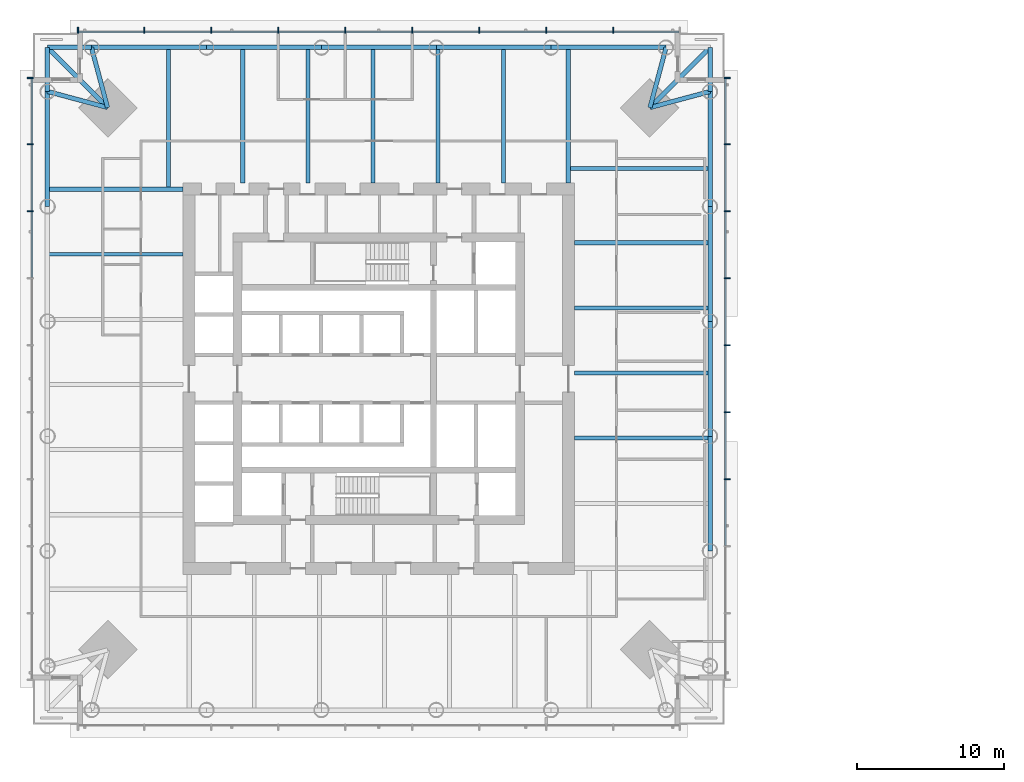
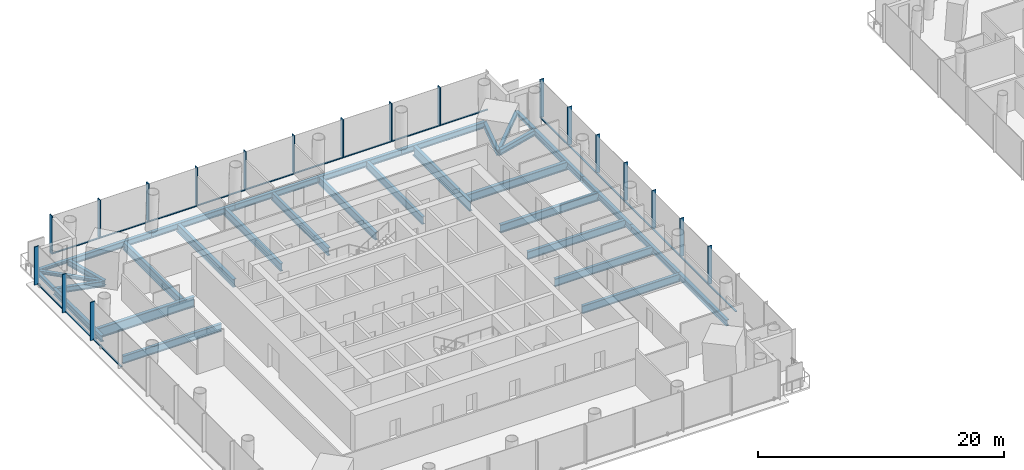
# One storey, part 3 of 26: 38 members, 33 beams, 3 elements without a shape of their own.
"""IFC4 building model written with IfcOpenShell, lengths in metres."""

from ifc_helpers import new_model, si_unit, direction, frame, origin, origin_2d, place, context, subcontext, project, spatial, rectangle, i_section, extrude, material, material_profile, profile_set, type_object, element, aggregate, save


model = new_model("IFC4")

# Units and contexts
model_context = context("Model", 3, precision=1e-05, world=origin(), true_north=direction((0.0, 1.0)))
body_context = subcontext(model_context, "Body", "Model", "MODEL_VIEW")
ifc_project = project(units=[si_unit("LENGTHUNIT", "METRE"), si_unit("AREAUNIT", "SQUARE_METRE"), si_unit("VOLUMEUNIT", "CUBIC_METRE"), si_unit("PLANEANGLEUNIT", "RADIAN"), si_unit("MASSUNIT", "GRAM", prefix="KILO")], contexts=[model_context])

# Site, building, storey
site_placement = place(None, origin())
site = spatial("IfcSite", under=ifc_project, at=site_placement, CompositionType="ELEMENT")
building_placement = place(site_placement, origin())
building = spatial("IfcBuilding", under=site, at=building_placement, Name="Ostroluk Exchange", CompositionType="ELEMENT")
storey_placement = place(building_placement, frame((0.0, 0.0, 66.60009765625)))
storey = spatial("IfcBuildingStorey", under=building, at=storey_placement, Name="L16", CompositionType="ELEMENT", Elevation=66.60009765625)

# Beams
ifc_material_1 = material(Name="Steel S355", Category="steel")
ifc_material_profile_1 = material_profile(ifc_material_1, i_section(OverallWidth=0.300048828125, OverallDepth=0.300048828125, WebThickness=0.010986328125, FlangeThickness=0.01904296875, FilletRadius=0.027099609375, at=origin_2d()), Name="HEB 300")
ifc_profile_set_1 = profile_set([ifc_material_profile_1], Name="Steel S355")
beam_type_1 = type_object("IfcBeamType", Name="Balcony beam HEB 300", PredefinedType="BEAM", material=ifc_profile_set_1)
beam_1_placement = place(storey_placement, frame((67.54296875, 65.54296875, -0.330078125), z_axis=(0.0, 1.0, 0.0), x_axis=(-1.0, 0.0, 0.0)))
element("IfcBeam", 1, at=beam_1_placement, inside=storey, type_object=beam_type_1, Name="T1 east balcony beam a", PredefinedType="BEAM", context=body_context, shape_type="SweptSolid", body=[
    extrude(i_section(OverallWidth=0.300048828125, OverallDepth=0.300048828125, WebThickness=0.010986328125, FlangeThickness=0.01904296875, FilletRadius=0.027099609375, at=origin_2d()), origin(), (0.0, 0.0, 1.0), 3.0),
])
beam_2_placement = place(storey_placement, frame((63.44287109375, 64.44287109375, -0.330078125), z_axis=(0.707106781187, 0.707106781187, 0.0), x_axis=(-0.707106781187, 0.707106781187, 0.0)))
element("IfcBeam", 2, at=beam_2_placement, inside=storey, type_object=beam_type_1, Name="T1 east balcony beam c", PredefinedType="BEAM", context=body_context, shape_type="SweptSolid", body=[
    extrude(i_section(OverallWidth=0.300048828125, OverallDepth=0.300048828125, WebThickness=0.010986328125, FlangeThickness=0.01904296875, FilletRadius=0.027099609375, at=origin_2d()), origin(), (0.0, 0.0, 1.0), 5.79833984375),
])
for number, where, z_axis, x_axis, name in (
    (3, (25.45703125, 68.54296875, -0.330078125), (-1.0, 0.0, 0.0), (0.0, -1.0, 0.0), "T1 north balcony beam a"),
    (4, (22.45703125, 65.54296875, -0.330078125), (0.0, 1.0, 0.0), (-1.0, 0.0, 0.0), "T1 north balcony beam b"),
):
    element("IfcBeam", number, at=place(storey_placement, frame(where, z_axis=z_axis, x_axis=x_axis)), inside=storey, type_object=beam_type_1, Name=name, PredefinedType="BEAM", context=body_context, shape_type="SweptSolid", body=[
        extrude(i_section(OverallWidth=0.300048828125, OverallDepth=0.300048828125, WebThickness=0.010986328125, FlangeThickness=0.01904296875, FilletRadius=0.027099609375, at=origin_2d()), origin(), (0.0, 0.0, 1.0), 3.0),
    ])
beam_3_placement = place(storey_placement, frame((26.55712890625, 64.44287109375, -0.330078125), z_axis=(-0.707106781187, 0.707106781187, 0.0), x_axis=(-0.707106781187, -0.707106781187, 0.0)))
element("IfcBeam", 5, at=beam_3_placement, inside=storey, type_object=beam_type_1, Name="T1 north balcony beam c", PredefinedType="BEAM", context=body_context, shape_type="SweptSolid", body=[
    extrude(i_section(OverallWidth=0.300048828125, OverallDepth=0.300048828125, WebThickness=0.010986328125, FlangeThickness=0.01904296875, FilletRadius=0.027099609375, at=origin_2d()), origin(), (0.0, 0.0, 1.0), 5.79833984375),
])
ifc_material_2 = material(Name="Steel S355", Category="steel")
ifc_material_profile_2 = material_profile(ifc_material_2, i_section(OverallWidth=0.300048828125, OverallDepth=0.550048828125, WebThickness=0.014892578125, FlangeThickness=0.029052734375, FilletRadius=0.027099609375, at=origin_2d()), Name="HEB 550")
ifc_profile_set_2 = profile_set([ifc_material_profile_2], Name="Steel S355")
beam_type_2 = type_object("IfcBeamType", Name="Corner edge beam HEB 550", PredefinedType="SPANDREL", material=ifc_profile_set_2)
for number, where, z_axis, x_axis, name in (
    (6, (63.44287109375, 64.44287109375, -0.455078125), (0.965838624319, 0.259144268261, 0.0), (-0.259144268261, 0.965838624319, 0.0), "T1 east corner edge beam a"),
    (7, (63.44287109375, 64.44287109375, -0.455078125), (0.259144268261, 0.965838624319, 0.0), (-0.965838624319, 0.259144268261, 0.0), "T1 east corner edge beam b"),
    (8, (26.55712890625, 64.44287109375, -0.455078125), (-0.259144268261, 0.965838624319, 0.0), (-0.965838624319, -0.259144268261, 0.0), "T1 north corner edge beam a"),
    (9, (26.55712890625, 64.44287109375, -0.455078125), (-0.965838624319, 0.259144268261, 0.0), (-0.259144268261, -0.965838624319, 0.0), "T1 north corner edge beam b"),
):
    element("IfcBeam", number, at=place(storey_placement, frame(where, z_axis=z_axis, x_axis=x_axis)), inside=storey, type_object=beam_type_2, Name=name, PredefinedType="SPANDREL", context=body_context, shape_type="SweptSolid", body=[
        extrude(i_section(OverallWidth=0.300048828125, OverallDepth=0.550048828125, WebThickness=0.014892578125, FlangeThickness=0.029052734375, FilletRadius=0.027099609375, at=origin_2d()), origin(), (0.0, 0.0, 1.0), 4.2451171875),
    ])
ifc_material_3 = material(Name="Steel S355", Category="steel")
ifc_material_profile_3 = material_profile(ifc_material_3, i_section(OverallWidth=0.302978515625, OverallDepth=0.81396484375, WebThickness=0.02099609375, FlangeThickness=0.0400390625, FilletRadius=0.030029296875, at=origin_2d()), Name="HEM 800")
ifc_profile_set_3 = profile_set([ifc_material_profile_3], Name="Steel S355")
beam_type_3 = type_object("IfcBeamType", Name="Floor beam HEM 800", PredefinedType="BEAM", material=ifc_profile_set_3)
beam_4_placement = place(storey_placement, frame((58.300048828125, 55.251708984375, -0.587158203125), z_axis=(1.0, 0.0, 0.0), x_axis=(0.0, 1.0, 0.0)))
element("IfcBeam", 10, at=beam_4_placement, inside=storey, type_object=beam_type_3, Name="T1 east floor beam 5", PredefinedType="BEAM", context=body_context, shape_type="SweptSolid", body=[
    extrude(i_section(OverallWidth=0.302978515625, OverallDepth=0.81396484375, WebThickness=0.02099609375, FlangeThickness=0.0400390625, FilletRadius=0.030029296875, at=origin_2d()), origin(), (0.0, 0.0, 1.0), 9.242919921875),
])
beam_5_placement = place(storey_placement, frame((57.89990234375, 60.300048828125, -0.587158203125), z_axis=(1.0, 0.0, 0.0), x_axis=(0.0, 1.0, 0.0)))
element("IfcBeam", 11, at=beam_5_placement, inside=storey, type_object=beam_type_3, Name="T1 east floor beam 6", PredefinedType="BEAM", context=body_context, shape_type="SweptSolid", body=[
    extrude(i_section(OverallWidth=0.302978515625, OverallDepth=0.81396484375, WebThickness=0.02099609375, FlangeThickness=0.0400390625, FilletRadius=0.030029296875, at=origin_2d()), origin(), (0.0, 0.0, 1.0), 9.64306640625),
])
beam_6_placement = place(storey_placement, frame((35.748291015625, 59.300048828125, -0.587158203125), z_axis=(0.0, 1.0, 0.0), x_axis=(-1.0, 0.0, 0.0)))
element("IfcBeam", 12, at=beam_6_placement, inside=storey, type_object=beam_type_3, Name="T1 north floor beam 5", PredefinedType="BEAM", context=body_context, shape_type="SweptSolid", body=[
    extrude(i_section(OverallWidth=0.302978515625, OverallDepth=0.81396484375, WebThickness=0.02099609375, FlangeThickness=0.0400390625, FilletRadius=0.030029296875, at=origin_2d()), origin(), (0.0, 0.0, 1.0), 9.242919921875),
])
beam_7_placement = place(storey_placement, frame((30.699951171875, 58.89990234375, -0.587158203125), z_axis=(0.0, 1.0, 0.0), x_axis=(-1.0, 0.0, 0.0)))
element("IfcBeam", 13, at=beam_7_placement, inside=storey, type_object=beam_type_3, Name="T1 north floor beam 6", PredefinedType="BEAM", context=body_context, shape_type="SweptSolid", body=[
    extrude(i_section(OverallWidth=0.302978515625, OverallDepth=0.81396484375, WebThickness=0.02099609375, FlangeThickness=0.0400390625, FilletRadius=0.030029296875, at=origin_2d()), origin(), (0.0, 0.0, 1.0), 9.64306640625),
])
ifc_material_4 = material(Name="Steel S355", Category="steel")
ifc_material_profile_4 = material_profile(ifc_material_4, i_section(OverallWidth=0.26806640625, OverallDepth=0.77001953125, WebThickness=0.015625, FlangeThickness=0.025390625, FilletRadius=0.01708984375, at=origin_2d()), Name="IPE 750x196")
ifc_profile_set_4 = profile_set([ifc_material_profile_4], Name="Steel S355")
beam_type_4 = type_object("IfcBeamType", Name="Floor beam IPE 750x196", PredefinedType="BEAM", material=ifc_profile_set_4)
for number, where, z_axis, x_axis, name in (
    (14, (58.300048828125, 41.960693359375, -0.565185546875), (1.0, 0.0, 0.0), (0.0, 1.0, 0.0), "T1 east floor beam 2"),
    (15, (58.300048828125, 46.39111328125, -0.565185546875), (1.0, 0.0, 0.0), (0.0, 1.0, 0.0), "T1 east floor beam 3"),
    (16, (58.300048828125, 50.821533203125, -0.565185546875), (1.0, 0.0, 0.0), (0.0, 1.0, 0.0), "T1 east floor beam 4"),
    (17, (53.4697265625, 59.300048828125, -0.565185546875), (0.0, 1.0, 0.0), (-1.0, 0.0, 0.0), "T1 north floor beam 1"),
    (18, (49.039306640625, 59.300048828125, -0.565185546875), (0.0, 1.0, 0.0), (-1.0, 0.0, 0.0), "T1 north floor beam 2"),
    (19, (44.60888671875, 59.300048828125, -0.565185546875), (0.0, 1.0, 0.0), (-1.0, 0.0, 0.0), "T1 north floor beam 3"),
    (20, (40.178466796875, 59.300048828125, -0.565185546875), (0.0, 1.0, 0.0), (-1.0, 0.0, 0.0), "T1 north floor beam 4"),
    (21, (31.699951171875, 54.4697265625, -0.565185546875), (-1.0, 0.0, 0.0), (0.0, -1.0, 0.0), "T1 west floor beam 1"),
):
    element("IfcBeam", number, at=place(storey_placement, frame(where, z_axis=z_axis, x_axis=x_axis)), inside=storey, type_object=beam_type_4, Name=name, PredefinedType="BEAM", context=body_context, shape_type="SweptSolid", body=[
        extrude(i_section(OverallWidth=0.26806640625, OverallDepth=0.77001953125, WebThickness=0.015625, FlangeThickness=0.025390625, FilletRadius=0.01708984375, at=origin_2d()), origin(), (0.0, 0.0, 1.0), 9.242919921875),
    ])
ifc_material_5 = material(Name="Steel S355", Category="steel")
ifc_material_profile_5 = material_profile(ifc_material_5, i_section(OverallWidth=0.302001953125, OverallDepth=1.008056640625, WebThickness=0.02099609375, FlangeThickness=0.0400390625, FilletRadius=0.030029296875, at=origin_2d()), Name="HEM 1000")
ifc_profile_set_5 = profile_set([ifc_material_profile_5], Name="Steel S355")
beam_type_5 = type_object("IfcBeamType", Name="Girder HEM 1000", PredefinedType="BEAM", material=ifc_profile_set_5)
for number, where, z_axis, x_axis, name in (
    (22, (57.89990234375, 59.300048828125, -0.68408203125), (0.0, 1.0, 0.0), (-1.0, 0.0, 0.0), "T1 east girder"),
    (23, (31.699951171875, 58.89990234375, -0.68408203125), (-1.0, 0.0, 0.0), (0.0, -1.0, 0.0), "T1 north girder"),
):
    element("IfcBeam", number, at=place(storey_placement, frame(where, z_axis=z_axis, x_axis=x_axis)), inside=storey, type_object=beam_type_5, Name=name, PredefinedType="BEAM", context=body_context, shape_type="SweptSolid", body=[
        extrude(i_section(OverallWidth=0.302001953125, OverallDepth=1.008056640625, WebThickness=0.02099609375, FlangeThickness=0.0400390625, FilletRadius=0.030029296875, at=origin_2d()), origin(), (0.0, 0.0, 1.0), 9.242919921875),
    ])
ifc_material_6 = material(Name="Steel S355", Category="steel")
ifc_material_profile_6 = material_profile(ifc_material_6, i_section(OverallWidth=0.300048828125, OverallDepth=0.60009765625, WebThickness=0.015380859375, FlangeThickness=0.030029296875, FilletRadius=0.027099609375, at=origin_2d()), Name="HEB 600")
ifc_profile_set_6 = profile_set([ifc_material_profile_6], Name="Steel S355")
beam_type_6 = type_object("IfcBeamType", Name="Moment-connected edge beam HEB 600", PredefinedType="SPANDREL", material=ifc_profile_set_6)
beam_8_placement = place(storey_placement, frame((67.54296875, 34.274169921875, -0.47998046875), z_axis=(0.0, 1.0, 0.0), x_axis=(-1.0, 0.0, 0.0)))
element("IfcBeam", 24, at=beam_8_placement, inside=storey, type_object=beam_type_6, Name="T1 east edge beam 2", PredefinedType="SPANDREL", context=body_context, shape_type="SweptSolid", body=[
    extrude(i_section(OverallWidth=0.300048828125, OverallDepth=0.60009765625, WebThickness=0.015380859375, FlangeThickness=0.030029296875, FilletRadius=0.027099609375, at=origin_2d()), origin(), (0.0, 0.0, 1.0), 7.817138671875),
])
beam_9_placement = place(storey_placement, frame((67.54296875, 42.09130859375, -0.47998046875), z_axis=(0.0, 1.0, 0.0), x_axis=(-1.0, 0.0, 0.0)))
element("IfcBeam", 25, at=beam_9_placement, inside=storey, type_object=beam_type_6, Name="T1 east edge beam 3", PredefinedType="SPANDREL", context=body_context, shape_type="SweptSolid", body=[
    extrude(i_section(OverallWidth=0.300048828125, OverallDepth=0.60009765625, WebThickness=0.015380859375, FlangeThickness=0.030029296875, FilletRadius=0.027099609375, at=origin_2d()), origin(), (0.0, 0.0, 1.0), 7.8173828125),
])
for number, where, z_axis, x_axis, name in (
    (26, (67.54296875, 49.90869140625, -0.47998046875), (0.0, 1.0, 0.0), (-1.0, 0.0, 0.0), "T1 east edge beam 4"),
    (27, (67.54296875, 57.725830078125, -0.47998046875), (0.0, 1.0, 0.0), (-1.0, 0.0, 0.0), "T1 east edge beam 5"),
    (28, (64.54296875, 68.54296875, -0.47998046875), (-1.0, 0.0, 0.0), (0.0, -1.0, 0.0), "T1 north edge beam 1"),
    (29, (56.725830078125, 68.54296875, -0.47998046875), (-1.0, 0.0, 0.0), (0.0, -1.0, 0.0), "T1 north edge beam 2"),
):
    element("IfcBeam", number, at=place(storey_placement, frame(where, z_axis=z_axis, x_axis=x_axis)), inside=storey, type_object=beam_type_6, Name=name, PredefinedType="SPANDREL", context=body_context, shape_type="SweptSolid", body=[
        extrude(i_section(OverallWidth=0.300048828125, OverallDepth=0.60009765625, WebThickness=0.015380859375, FlangeThickness=0.030029296875, FilletRadius=0.027099609375, at=origin_2d()), origin(), (0.0, 0.0, 1.0), 7.817138671875),
    ])
beam_10_placement = place(storey_placement, frame((48.90869140625, 68.54296875, -0.47998046875), z_axis=(-1.0, 0.0, 0.0), x_axis=(0.0, -1.0, 0.0)))
element("IfcBeam", 30, at=beam_10_placement, inside=storey, type_object=beam_type_6, Name="T1 north edge beam 3", PredefinedType="SPANDREL", context=body_context, shape_type="SweptSolid", body=[
    extrude(i_section(OverallWidth=0.300048828125, OverallDepth=0.60009765625, WebThickness=0.015380859375, FlangeThickness=0.030029296875, FilletRadius=0.027099609375, at=origin_2d()), origin(), (0.0, 0.0, 1.0), 7.8173828125),
])
for number, where, z_axis, x_axis, name in (
    (31, (41.09130859375, 68.54296875, -0.47998046875), (-1.0, 0.0, 0.0), (0.0, -1.0, 0.0), "T1 north edge beam 4"),
    (32, (33.274169921875, 68.54296875, -0.47998046875), (-1.0, 0.0, 0.0), (0.0, -1.0, 0.0), "T1 north edge beam 5"),
    (33, (22.45703125, 65.54296875, -0.47998046875), (0.0, -1.0, 0.0), (1.0, 0.0, 0.0), "T1 west edge beam 1"),
):
    element("IfcBeam", number, at=place(storey_placement, frame(where, z_axis=z_axis, x_axis=x_axis)), inside=storey, type_object=beam_type_6, Name=name, PredefinedType="SPANDREL", context=body_context, shape_type="SweptSolid", body=[
        extrude(i_section(OverallWidth=0.300048828125, OverallDepth=0.60009765625, WebThickness=0.015380859375, FlangeThickness=0.030029296875, FilletRadius=0.027099609375, at=origin_2d()), origin(), (0.0, 0.0, 1.0), 7.817138671875),
    ])

# Curtain wall, members
ifc_material_7 = material(Name="Laminated clear glass", Category="glass")
curtain_wall_type = type_object("IfcCurtainWallType", Name="Office tower facade", PredefinedType="USERDEFINED", material=ifc_material_7)
curtain_wall_1_placement = place(storey_placement, origin())
curtain_wall_1 = element("IfcCurtainWall", 34, at=curtain_wall_1_placement, inside=storey, type_object=curtain_wall_type, Name="Office tower east facade L16", ObjectType="UNITISED CURTAIN WALL", PredefinedType="USERDEFINED")
ifc_material_8 = material(Name="Aluminium mullion", Category="aluminium")
ifc_material_profile_7 = material_profile(ifc_material_8, rectangle(XDim=0.14990234375, YDim=0.080078125, at=origin_2d()), Name="Sill transom 80 x 150")
ifc_profile_set_7 = profile_set([ifc_material_profile_7], Name="Aluminium mullion")
member_type_1 = type_object("IfcMemberType", Name="Sill transom 80 x 150", PredefinedType="USERDEFINED", material=ifc_profile_set_7)
member_1_placement = place(storey_placement, frame((68.574951171875, 34.651123046875, 0.039794921875), z_axis=(0.0, 1.0, 0.0), x_axis=(-1.0, 0.0, 0.0)))
member_1 = element("IfcMember", 35, at=member_1_placement, type_object=member_type_1, Name="CW-O1 transom 3.1", ObjectType="TRANSOM", PredefinedType="USERDEFINED", context=body_context, shape_type="SweptSolid", body=[
    extrude(rectangle(XDim=0.14990234375, YDim=0.080078125, at=origin_2d()), origin(), (0.0, 0.0, 1.0), 4.4755859375),
])
member_2_placement = place(storey_placement, frame((68.574951171875, 39.206787109375, 0.039794921875), z_axis=(0.0, 1.0, 0.0), x_axis=(-1.0, 0.0, 0.0)))
member_2 = element("IfcMember", 36, at=member_2_placement, type_object=member_type_1, Name="CW-O1 transom 4.1", ObjectType="TRANSOM", PredefinedType="USERDEFINED", context=body_context, shape_type="SweptSolid", body=[
    extrude(rectangle(XDim=0.14990234375, YDim=0.080078125, at=origin_2d()), origin(), (0.0, 0.0, 1.0), 4.475341796875),
])
member_3_placement = place(storey_placement, frame((68.574951171875, 43.76220703125, 0.039794921875), z_axis=(0.0, 1.0, 0.0), x_axis=(-1.0, 0.0, 0.0)))
member_3 = element("IfcMember", 37, at=member_3_placement, type_object=member_type_1, Name="CW-O1 transom 5.1", ObjectType="TRANSOM", PredefinedType="USERDEFINED", context=body_context, shape_type="SweptSolid", body=[
    extrude(rectangle(XDim=0.14990234375, YDim=0.080078125, at=origin_2d()), origin(), (0.0, 0.0, 1.0), 4.4755859375),
])
member_4_placement = place(storey_placement, frame((68.574951171875, 48.31787109375, 0.039794921875), z_axis=(0.0, 1.0, 0.0), x_axis=(-1.0, 0.0, 0.0)))
member_4 = element("IfcMember", 38, at=member_4_placement, type_object=member_type_1, Name="CW-O1 transom 6.1", ObjectType="TRANSOM", PredefinedType="USERDEFINED", context=body_context, shape_type="SweptSolid", body=[
    extrude(rectangle(XDim=0.14990234375, YDim=0.080078125, at=origin_2d()), origin(), (0.0, 0.0, 1.0), 4.475341796875),
])
member_5_placement = place(storey_placement, frame((68.574951171875, 52.873291015625, 0.039794921875), z_axis=(0.0, 1.0, 0.0), x_axis=(-1.0, 0.0, 0.0)))
member_5 = element("IfcMember", 39, at=member_5_placement, type_object=member_type_1, Name="CW-O1 transom 7.1", ObjectType="TRANSOM", PredefinedType="USERDEFINED", context=body_context, shape_type="SweptSolid", body=[
    extrude(rectangle(XDim=0.14990234375, YDim=0.080078125, at=origin_2d()), origin(), (0.0, 0.0, 1.0), 4.4755859375),
])
member_6_placement = place(storey_placement, frame((68.574951171875, 57.428955078125, 0.039794921875), z_axis=(0.0, 1.0, 0.0), x_axis=(-1.0, 0.0, 0.0)))
member_6 = element("IfcMember", 40, at=member_6_placement, type_object=member_type_1, Name="CW-O1 transom 8.1", ObjectType="TRANSOM", PredefinedType="USERDEFINED", context=body_context, shape_type="SweptSolid", body=[
    extrude(rectangle(XDim=0.14990234375, YDim=0.080078125, at=origin_2d()), origin(), (0.0, 0.0, 1.0), 4.4755859375),
])
member_7_placement = place(storey_placement, frame((68.574951171875, 61.984375, 0.039794921875), z_axis=(0.0, 1.0, 0.0), x_axis=(-1.0, 0.0, 0.0)))
member_7 = element("IfcMember", 41, at=member_7_placement, type_object=member_type_1, Name="CW-O1 transom 9.1", ObjectType="TRANSOM", PredefinedType="USERDEFINED", context=body_context, shape_type="SweptSolid", body=[
    extrude(rectangle(XDim=0.14990234375, YDim=0.080078125, at=origin_2d()), origin(), (0.0, 0.0, 1.0), 4.435546875),
])

curtain_wall_2_placement = place(storey_placement, origin())
curtain_wall_2 = element("IfcCurtainWall", 42, at=curtain_wall_2_placement, inside=storey, type_object=curtain_wall_type, Name="Office tower north facade L16", ObjectType="UNITISED CURTAIN WALL", PredefinedType="USERDEFINED")
member_8_placement = place(storey_placement, frame((65.419921875, 69.574951171875, 0.039794921875), z_axis=(-1.0, 0.0, 0.0), x_axis=(0.0, -1.0, 0.0)))
member_8 = element("IfcMember", 43, at=member_8_placement, type_object=member_type_1, Name="CW-O1 transom 1.1", ObjectType="TRANSOM", PredefinedType="USERDEFINED", context=body_context, shape_type="SweptSolid", body=[
    extrude(rectangle(XDim=0.14990234375, YDim=0.080078125, at=origin_2d()), origin(), (0.0, 0.0, 1.0), 4.435546875),
])
member_9_placement = place(storey_placement, frame((60.904541015625, 69.574951171875, 0.039794921875), z_axis=(-1.0, 0.0, 0.0), x_axis=(0.0, -1.0, 0.0)))
member_9 = element("IfcMember", 44, at=member_9_placement, type_object=member_type_1, Name="CW-O1 transom 2.1", ObjectType="TRANSOM", PredefinedType="USERDEFINED", context=body_context, shape_type="SweptSolid", body=[
    extrude(rectangle(XDim=0.14990234375, YDim=0.080078125, at=origin_2d()), origin(), (0.0, 0.0, 1.0), 4.4755859375),
])
member_10_placement = place(storey_placement, frame((56.348876953125, 69.574951171875, 0.039794921875), z_axis=(-1.0, 0.0, 0.0), x_axis=(0.0, -1.0, 0.0)))
member_10 = element("IfcMember", 45, at=member_10_placement, type_object=member_type_1, Name="CW-O1 transom 3.1", ObjectType="TRANSOM", PredefinedType="USERDEFINED", context=body_context, shape_type="SweptSolid", body=[
    extrude(rectangle(XDim=0.14990234375, YDim=0.080078125, at=origin_2d()), origin(), (0.0, 0.0, 1.0), 4.4755859375),
])
member_11_placement = place(storey_placement, frame((51.793212890625, 69.574951171875, 0.039794921875), z_axis=(-1.0, 0.0, 0.0), x_axis=(0.0, -1.0, 0.0)))
member_11 = element("IfcMember", 46, at=member_11_placement, type_object=member_type_1, Name="CW-O1 transom 4.1", ObjectType="TRANSOM", PredefinedType="USERDEFINED", context=body_context, shape_type="SweptSolid", body=[
    extrude(rectangle(XDim=0.14990234375, YDim=0.080078125, at=origin_2d()), origin(), (0.0, 0.0, 1.0), 4.475341796875),
])
member_12_placement = place(storey_placement, frame((47.23779296875, 69.574951171875, 0.039794921875), z_axis=(-1.0, 0.0, 0.0), x_axis=(0.0, -1.0, 0.0)))
member_12 = element("IfcMember", 47, at=member_12_placement, type_object=member_type_1, Name="CW-O1 transom 5.1", ObjectType="TRANSOM", PredefinedType="USERDEFINED", context=body_context, shape_type="SweptSolid", body=[
    extrude(rectangle(XDim=0.14990234375, YDim=0.080078125, at=origin_2d()), origin(), (0.0, 0.0, 1.0), 4.4755859375),
])
member_13_placement = place(storey_placement, frame((42.68212890625, 69.574951171875, 0.039794921875), z_axis=(-1.0, 0.0, 0.0), x_axis=(0.0, -1.0, 0.0)))
member_13 = element("IfcMember", 48, at=member_13_placement, type_object=member_type_1, Name="CW-O1 transom 6.1", ObjectType="TRANSOM", PredefinedType="USERDEFINED", context=body_context, shape_type="SweptSolid", body=[
    extrude(rectangle(XDim=0.14990234375, YDim=0.080078125, at=origin_2d()), origin(), (0.0, 0.0, 1.0), 4.475341796875),
])
member_14_placement = place(storey_placement, frame((38.126708984375, 69.574951171875, 0.039794921875), z_axis=(-1.0, 0.0, 0.0), x_axis=(0.0, -1.0, 0.0)))
member_14 = element("IfcMember", 49, at=member_14_placement, type_object=member_type_1, Name="CW-O1 transom 7.1", ObjectType="TRANSOM", PredefinedType="USERDEFINED", context=body_context, shape_type="SweptSolid", body=[
    extrude(rectangle(XDim=0.14990234375, YDim=0.080078125, at=origin_2d()), origin(), (0.0, 0.0, 1.0), 4.4755859375),
])
member_15_placement = place(storey_placement, frame((33.571044921875, 69.574951171875, 0.039794921875), z_axis=(-1.0, 0.0, 0.0), x_axis=(0.0, -1.0, 0.0)))
member_15 = element("IfcMember", 50, at=member_15_placement, type_object=member_type_1, Name="CW-O1 transom 8.1", ObjectType="TRANSOM", PredefinedType="USERDEFINED", context=body_context, shape_type="SweptSolid", body=[
    extrude(rectangle(XDim=0.14990234375, YDim=0.080078125, at=origin_2d()), origin(), (0.0, 0.0, 1.0), 4.4755859375),
])
member_16_placement = place(storey_placement, frame((29.015625, 69.574951171875, 0.039794921875), z_axis=(-1.0, 0.0, 0.0), x_axis=(0.0, -1.0, 0.0)))
member_16 = element("IfcMember", 51, at=member_16_placement, type_object=member_type_1, Name="CW-O1 transom 9.1", ObjectType="TRANSOM", PredefinedType="USERDEFINED", context=body_context, shape_type="SweptSolid", body=[
    extrude(rectangle(XDim=0.14990234375, YDim=0.080078125, at=origin_2d()), origin(), (0.0, 0.0, 1.0), 4.435546875),
])

curtain_wall_3_placement = place(storey_placement, origin())
curtain_wall_3 = element("IfcCurtainWall", 52, at=curtain_wall_3_placement, inside=storey, type_object=curtain_wall_type, Name="Office tower west facade L16", ObjectType="UNITISED CURTAIN WALL", PredefinedType="USERDEFINED")
member_17_placement = place(storey_placement, frame((21.425048828125, 66.419921875, 0.039794921875), z_axis=(0.0, -1.0, 0.0), x_axis=(1.0, 0.0, 0.0)))
member_17 = element("IfcMember", 53, at=member_17_placement, type_object=member_type_1, Name="CW-O1 transom 1.1", ObjectType="TRANSOM", PredefinedType="USERDEFINED", context=body_context, shape_type="SweptSolid", body=[
    extrude(rectangle(XDim=0.14990234375, YDim=0.080078125, at=origin_2d()), origin(), (0.0, 0.0, 1.0), 4.435546875),
])
member_18_placement = place(storey_placement, frame((21.425048828125, 61.904541015625, 0.039794921875), z_axis=(0.0, -1.0, 0.0), x_axis=(1.0, 0.0, 0.0)))
member_18 = element("IfcMember", 54, at=member_18_placement, type_object=member_type_1, Name="CW-O1 transom 2.1", ObjectType="TRANSOM", PredefinedType="USERDEFINED", context=body_context, shape_type="SweptSolid", body=[
    extrude(rectangle(XDim=0.14990234375, YDim=0.080078125, at=origin_2d()), origin(), (0.0, 0.0, 1.0), 4.4755859375),
])
member_19_placement = place(storey_placement, frame((21.425048828125, 57.348876953125, 0.039794921875), z_axis=(0.0, -1.0, 0.0), x_axis=(1.0, 0.0, 0.0)))
member_19 = element("IfcMember", 55, at=member_19_placement, type_object=member_type_1, Name="CW-O1 transom 3.1", ObjectType="TRANSOM", PredefinedType="USERDEFINED", context=body_context, shape_type="SweptSolid", body=[
    extrude(rectangle(XDim=0.14990234375, YDim=0.080078125, at=origin_2d()), origin(), (0.0, 0.0, 1.0), 4.4755859375),
])

# Member
ifc_material_9 = material(Name="Aluminium mullion with limestone facing", Category="masonry")
ifc_material_profile_8 = material_profile(ifc_material_9, rectangle(XDim=0.39990234375, YDim=0.080078125, at=origin_2d()), Name="Tracery mullion 80 x 400")
ifc_profile_set_8 = profile_set([ifc_material_profile_8], Name="Aluminium mullion with limestone facing")
member_type_2 = type_object("IfcMemberType", Name="Tracery mullion 80 x 400", PredefinedType="MULLION", material=ifc_profile_set_8)
member_20_placement = place(storey_placement, frame((68.699951171875, 39.166748046875, 0.0), z_axis=(0.0, 0.0, 1.0), x_axis=(-1.0, 0.0, 0.0)))
member_20 = element("IfcMember", 56, at=member_20_placement, type_object=member_type_2, Name="CW-O1 mullion 4", PredefinedType="MULLION", context=body_context, shape_type="SweptSolid", body=[
    extrude(rectangle(XDim=0.39990234375, YDim=0.080078125, at=origin_2d()), origin(), (0.0, 0.0, 1.0), 3.7998046875),
])

member_21_placement = place(storey_placement, frame((68.699951171875, 43.72216796875, 0.0), z_axis=(0.0, 0.0, 1.0), x_axis=(-1.0, 0.0, 0.0)))
member_21 = element("IfcMember", 57, at=member_21_placement, type_object=member_type_2, Name="CW-O1 mullion 5", PredefinedType="MULLION", context=body_context, shape_type="SweptSolid", body=[
    extrude(rectangle(XDim=0.39990234375, YDim=0.080078125, at=origin_2d()), origin(), (0.0, 0.0, 1.0), 3.7998046875),
])

member_22_placement = place(storey_placement, frame((68.699951171875, 48.27783203125, 0.0), z_axis=(0.0, 0.0, 1.0), x_axis=(-1.0, 0.0, 0.0)))
member_22 = element("IfcMember", 58, at=member_22_placement, type_object=member_type_2, Name="CW-O1 mullion 6", PredefinedType="MULLION", context=body_context, shape_type="SweptSolid", body=[
    extrude(rectangle(XDim=0.39990234375, YDim=0.080078125, at=origin_2d()), origin(), (0.0, 0.0, 1.0), 3.7998046875),
])

member_23_placement = place(storey_placement, frame((68.699951171875, 52.833251953125, 0.0), z_axis=(0.0, 0.0, 1.0), x_axis=(-1.0, 0.0, 0.0)))
member_23 = element("IfcMember", 59, at=member_23_placement, type_object=member_type_2, Name="CW-O1 mullion 7", PredefinedType="MULLION", context=body_context, shape_type="SweptSolid", body=[
    extrude(rectangle(XDim=0.39990234375, YDim=0.080078125, at=origin_2d()), origin(), (0.0, 0.0, 1.0), 3.7998046875),
])

member_24_placement = place(storey_placement, frame((68.699951171875, 57.388916015625, 0.0), z_axis=(0.0, 0.0, 1.0), x_axis=(-1.0, 0.0, 0.0)))
member_24 = element("IfcMember", 60, at=member_24_placement, type_object=member_type_2, Name="CW-O1 mullion 8", PredefinedType="MULLION", context=body_context, shape_type="SweptSolid", body=[
    extrude(rectangle(XDim=0.39990234375, YDim=0.080078125, at=origin_2d()), origin(), (0.0, 0.0, 1.0), 3.7998046875),
])

member_25_placement = place(storey_placement, frame((68.699951171875, 61.9443359375, 0.0), z_axis=(0.0, 0.0, 1.0), x_axis=(-1.0, 0.0, 0.0)))
member_25 = element("IfcMember", 61, at=member_25_placement, type_object=member_type_2, Name="CW-O1 mullion 9", PredefinedType="MULLION", context=body_context, shape_type="SweptSolid", body=[
    extrude(rectangle(XDim=0.39990234375, YDim=0.080078125, at=origin_2d()), origin(), (0.0, 0.0, 1.0), 3.7998046875),
])

member_26_placement = place(storey_placement, frame((68.699951171875, 66.4599609375, 0.0), z_axis=(0.0, 0.0, 1.0), x_axis=(-1.0, 0.0, 0.0)))
member_26 = element("IfcMember", 62, at=member_26_placement, type_object=member_type_2, Name="CW-O1 mullion 10", PredefinedType="MULLION", context=body_context, shape_type="SweptSolid", body=[
    extrude(rectangle(XDim=0.39990234375, YDim=0.080078125, at=origin_2d()), origin(), (0.0, 0.0, 1.0), 3.7998046875),
])

aggregate(curtain_wall_1, [member_20, member_21, member_22, member_23, member_24, member_25, member_26, member_1, member_2, member_3, member_4, member_5, member_6, member_7])

member_27_placement = place(storey_placement, frame((60.9443359375, 69.699951171875, 0.0), z_axis=(0.0, 0.0, 1.0), x_axis=(0.0, -1.0, 0.0)))
member_27 = element("IfcMember", 63, at=member_27_placement, type_object=member_type_2, Name="CW-O1 mullion 2", PredefinedType="MULLION", context=body_context, shape_type="SweptSolid", body=[
    extrude(rectangle(XDim=0.39990234375, YDim=0.080078125, at=origin_2d()), origin(), (0.0, 0.0, 1.0), 3.7998046875),
])

member_28_placement = place(storey_placement, frame((56.388916015625, 69.699951171875, 0.0), z_axis=(0.0, 0.0, 1.0), x_axis=(0.0, -1.0, 0.0)))
member_28 = element("IfcMember", 64, at=member_28_placement, type_object=member_type_2, Name="CW-O1 mullion 3", PredefinedType="MULLION", context=body_context, shape_type="SweptSolid", body=[
    extrude(rectangle(XDim=0.39990234375, YDim=0.080078125, at=origin_2d()), origin(), (0.0, 0.0, 1.0), 3.7998046875),
])

member_29_placement = place(storey_placement, frame((51.833251953125, 69.699951171875, 0.0), z_axis=(0.0, 0.0, 1.0), x_axis=(0.0, -1.0, 0.0)))
member_29 = element("IfcMember", 65, at=member_29_placement, type_object=member_type_2, Name="CW-O1 mullion 4", PredefinedType="MULLION", context=body_context, shape_type="SweptSolid", body=[
    extrude(rectangle(XDim=0.39990234375, YDim=0.080078125, at=origin_2d()), origin(), (0.0, 0.0, 1.0), 3.7998046875),
])

member_30_placement = place(storey_placement, frame((47.27783203125, 69.699951171875, 0.0), z_axis=(0.0, 0.0, 1.0), x_axis=(0.0, -1.0, 0.0)))
member_30 = element("IfcMember", 66, at=member_30_placement, type_object=member_type_2, Name="CW-O1 mullion 5", PredefinedType="MULLION", context=body_context, shape_type="SweptSolid", body=[
    extrude(rectangle(XDim=0.39990234375, YDim=0.080078125, at=origin_2d()), origin(), (0.0, 0.0, 1.0), 3.7998046875),
])

member_31_placement = place(storey_placement, frame((42.72216796875, 69.699951171875, 0.0), z_axis=(0.0, 0.0, 1.0), x_axis=(0.0, -1.0, 0.0)))
member_31 = element("IfcMember", 67, at=member_31_placement, type_object=member_type_2, Name="CW-O1 mullion 6", PredefinedType="MULLION", context=body_context, shape_type="SweptSolid", body=[
    extrude(rectangle(XDim=0.39990234375, YDim=0.080078125, at=origin_2d()), origin(), (0.0, 0.0, 1.0), 3.7998046875),
])

member_32_placement = place(storey_placement, frame((38.166748046875, 69.699951171875, 0.0), z_axis=(0.0, 0.0, 1.0), x_axis=(0.0, -1.0, 0.0)))
member_32 = element("IfcMember", 68, at=member_32_placement, type_object=member_type_2, Name="CW-O1 mullion 7", PredefinedType="MULLION", context=body_context, shape_type="SweptSolid", body=[
    extrude(rectangle(XDim=0.39990234375, YDim=0.080078125, at=origin_2d()), origin(), (0.0, 0.0, 1.0), 3.7998046875),
])

member_33_placement = place(storey_placement, frame((33.611083984375, 69.699951171875, 0.0), z_axis=(0.0, 0.0, 1.0), x_axis=(0.0, -1.0, 0.0)))
member_33 = element("IfcMember", 69, at=member_33_placement, type_object=member_type_2, Name="CW-O1 mullion 8", PredefinedType="MULLION", context=body_context, shape_type="SweptSolid", body=[
    extrude(rectangle(XDim=0.39990234375, YDim=0.080078125, at=origin_2d()), origin(), (0.0, 0.0, 1.0), 3.7998046875),
])

member_34_placement = place(storey_placement, frame((29.0556640625, 69.699951171875, 0.0), z_axis=(0.0, 0.0, 1.0), x_axis=(0.0, -1.0, 0.0)))
member_34 = element("IfcMember", 70, at=member_34_placement, type_object=member_type_2, Name="CW-O1 mullion 9", PredefinedType="MULLION", context=body_context, shape_type="SweptSolid", body=[
    extrude(rectangle(XDim=0.39990234375, YDim=0.080078125, at=origin_2d()), origin(), (0.0, 0.0, 1.0), 3.7998046875),
])

member_35_placement = place(storey_placement, frame((24.5400390625, 69.699951171875, 0.0), z_axis=(0.0, 0.0, 1.0), x_axis=(0.0, -1.0, 0.0)))
member_35 = element("IfcMember", 71, at=member_35_placement, type_object=member_type_2, Name="CW-O1 mullion 10", PredefinedType="MULLION", context=body_context, shape_type="SweptSolid", body=[
    extrude(rectangle(XDim=0.39990234375, YDim=0.080078125, at=origin_2d()), origin(), (0.0, 0.0, 1.0), 3.7998046875),
])

aggregate(curtain_wall_2, [member_27, member_28, member_29, member_30, member_31, member_32, member_33, member_34, member_35, member_8, member_9, member_10, member_11, member_12, member_13, member_14, member_15, member_16])

member_36_placement = place(storey_placement, frame((21.300048828125, 66.4599609375, 0.0), z_axis=(0.0, 0.0, 1.0), x_axis=(1.0, 0.0, 0.0)))
member_36 = element("IfcMember", 72, at=member_36_placement, type_object=member_type_2, Name="CW-O1 mullion 1", PredefinedType="MULLION", context=body_context, shape_type="SweptSolid", body=[
    extrude(rectangle(XDim=0.39990234375, YDim=0.080078125, at=origin_2d()), origin(), (0.0, 0.0, 1.0), 3.7998046875),
])

member_37_placement = place(storey_placement, frame((21.300048828125, 61.9443359375, 0.0), z_axis=(0.0, 0.0, 1.0), x_axis=(1.0, 0.0, 0.0)))
member_37 = element("IfcMember", 73, at=member_37_placement, type_object=member_type_2, Name="CW-O1 mullion 2", PredefinedType="MULLION", context=body_context, shape_type="SweptSolid", body=[
    extrude(rectangle(XDim=0.39990234375, YDim=0.080078125, at=origin_2d()), origin(), (0.0, 0.0, 1.0), 3.7998046875),
])

member_38_placement = place(storey_placement, frame((21.300048828125, 57.388916015625, 0.0), z_axis=(0.0, 0.0, 1.0), x_axis=(1.0, 0.0, 0.0)))
member_38 = element("IfcMember", 74, at=member_38_placement, type_object=member_type_2, Name="CW-O1 mullion 3", PredefinedType="MULLION", context=body_context, shape_type="SweptSolid", body=[
    extrude(rectangle(XDim=0.39990234375, YDim=0.080078125, at=origin_2d()), origin(), (0.0, 0.0, 1.0), 3.7998046875),
])

aggregate(curtain_wall_3, [member_36, member_37, member_38, member_17, member_18, member_19])

save(model, "model.ifc")
